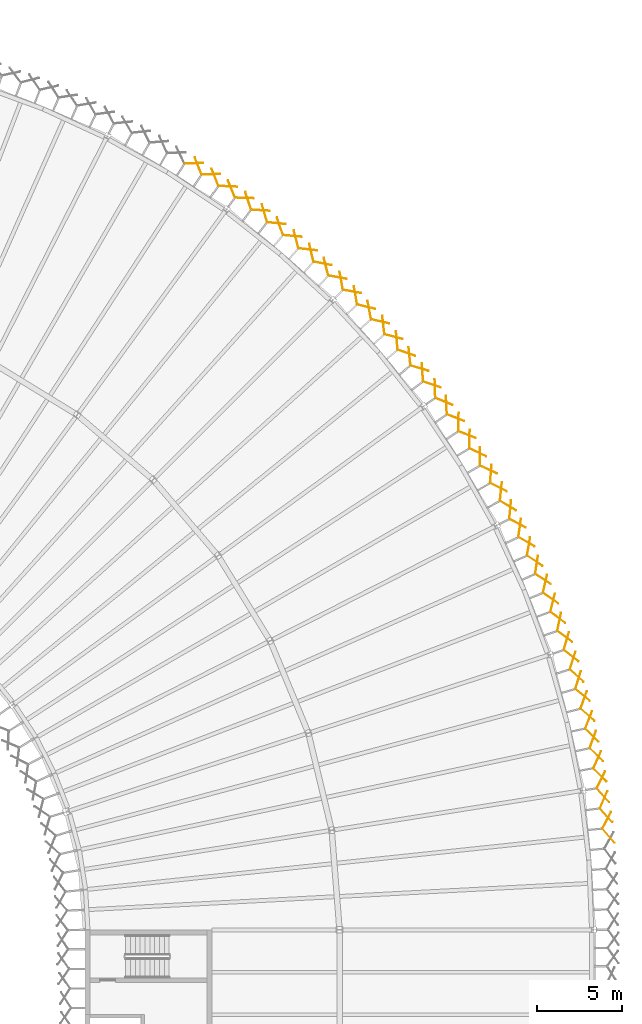
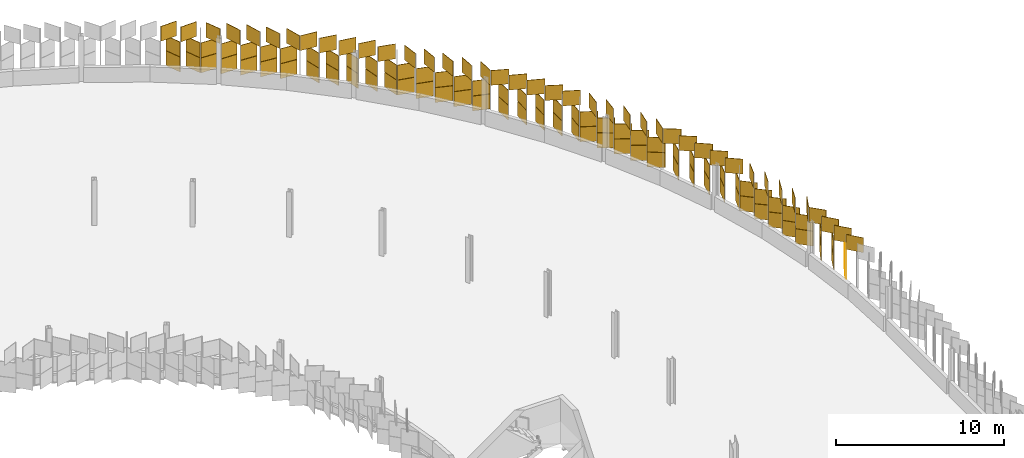
# One storey, part 194 of 198: 121 coverings.
"""IFC4 building model written with IfcOpenShell, lengths in metres."""

from ifc_helpers import new_model, si_unit, direction, frame, origin, origin_2d, place, context, subcontext, project, spatial, rectangle, extrude, material, layer, layer_set, type_object, element, save


model = new_model("IFC4")

# Units and contexts
model_context = context("Model", 3, precision=1e-05, world=origin(), true_north=direction((0.0, 1.0)))
body_context = subcontext(model_context, "Body", "Model", "MODEL_VIEW")
ifc_project = project(units=[si_unit("LENGTHUNIT", "METRE"), si_unit("AREAUNIT", "SQUARE_METRE"), si_unit("VOLUMEUNIT", "CUBIC_METRE"), si_unit("PLANEANGLEUNIT", "RADIAN"), si_unit("MASSUNIT", "GRAM", prefix="KILO")], contexts=[model_context])

# Site, building, storey
site_placement = place(None, origin())
site = spatial("IfcSite", under=ifc_project, at=site_placement, CompositionType="ELEMENT")
building_placement = place(site_placement, origin())
building = spatial("IfcBuilding", under=site, at=building_placement, Name="Parallax Yard Mobility Hub", CompositionType="ELEMENT")
storey_placement = place(building_placement, frame((0.0, 0.0, 6.60009765625)))
storey = spatial("IfcBuildingStorey", under=building, at=storey_placement, Name="L02", CompositionType="ELEMENT", Elevation=6.60009765625)

# Coverings
ifc_material_1 = material(Name="Aluminium panel, champagne finish", Category="aluminium")
ifc_layer_1 = layer(ifc_material_1, 0.030029296875)
ifc_layer_set_1 = layer_set([ifc_layer_1], Name="Skin panel 32.5 degree turn, champagne finish")
covering_type_1 = type_object("IfcCoveringType", Name="Skin panel 32.5 degree turn, champagne finish", PredefinedType="CLADDING", material=ifc_layer_set_1)
for number, where, z_axis, x_axis, name in (
    (1, (225.55908203125, 97.66455078125, 1.119873046875), (0.0, 0.0, 1.0), (0.398749068925, 0.917060074385, 0.0), "Skin panel 32.5 bay 41.7 row 2 level L02"),
    (2, (225.53076171875, 97.924072265625, 2.219970703125), (0.0, 0.0, 1.0), (0.662620048216, -0.748955720789, 0.0), "Skin panel 32.5 bay 41.7 row 3 level L02"),
    (3, (224.877197265625, 101.465087890625, 1.119873046875), (0.0, 0.0, 1.0), (0.704296037355, -0.709906396482, 0.0), "Skin panel 32.5 bay 42.3 row 2 level L02"),
    (4, (224.9296875, 101.224365234375, 2.219970703125), (0.0, 0.0, 1.0), (0.345745328141, 0.938328390314, 0.0), "Skin panel 32.5 bay 42.3 row 3 level L02"),
    (5, (223.97998046875, 104.96728515625, 1.119873046875), (0.0, 0.0, 1.0), (0.743675964311, -0.668540245689, 0.0), "Skin panel 32.5 bay 42.6 row 2 level L02"),
    (6, (224.05908203125, 104.71826171875, 2.219970703125), (0.0, 0.0, 1.0), (0.29161218728, 0.956536634024, 0.0), "Skin panel 32.5 bay 42.6 row 3 level L02"),
    (7, (222.9453125, 108.15087890625, 1.119873046875), (0.0, 0.0, 1.0), (0.208688396455, 0.977982184493, 0.0), "Skin panel 32.5 bay 43.2 row 2 level L02"),
    (8, (222.863037109375, 108.39892578125, 2.219970703125), (0.0, 0.0, 1.0), (0.798157342033, -0.602449049595, 0.0), "Skin panel 32.5 bay 43.2 row 3 level L02"),
    (9, (221.513916015625, 111.737060546875, 1.119873046875), (0.0, 0.0, 1.0), (0.831249435826, -0.555899609138, 0.0), "Skin panel 32.5 bay 43.5 row 2 level L02"),
    (10, (221.613037109375, 111.511474609375, 2.219970703125), (0.0, 0.0, 1.0), (0.152514952931, 0.988301163175, 0.0), "Skin panel 32.5 bay 43.5 row 3 level L02"),
    (11, (219.9306640625, 114.98681640625, 1.119873046875), (0.0, 0.0, 1.0), (0.861629160442, -0.507538362961, 0.0), "Skin panel 32.5 bay 44.1 row 2 level L02"),
    (12, (220.060302734375, 114.760009765625, 2.219970703125), (0.0, 0.0, 1.0), (0.09584575252, 0.995396198367, 0.0), "Skin panel 32.5 bay 44.1 row 3 level L02"),
    (13, (218.281982421875, 117.900146484375, 1.119873046875), (0.0, 0.0, 1.0), (0.010312967731, 0.999946819934, 0.0), "Skin panel 32.5 bay 44.4 row 2 level L02"),
    (14, (218.1494140625, 118.125, 2.219970703125), (0.0, 0.0, 1.0), (0.901901141033, -0.431942509836, 0.0), "Skin panel 32.5 bay 44.4 row 3 level L02"),
    (15, (216.301025390625, 120.924072265625, 1.119873046875), (0.0, 0.0, 1.0), (-0.046789151046, 0.998904787927, 0.0), "Skin panel 32.5 bay 44.7 row 2 level L02"),
    (16, (216.1591796875, 121.12548828125, 2.219970703125), (0.0, 0.0, 1.0), (0.92508913749, -0.379750033177, 0.0), "Skin panel 32.5 bay 44.7 row 3 level L02"),
    (17, (213.95458984375, 123.99072265625, 1.119873046875), (0.0, 0.0, 1.0), (0.94525973574, -0.32631891148, 0.0), "Skin panel 32.5 bay 45.3 row 2 level L02"),
    (18, (214.129150390625, 123.7958984375, 2.219970703125), (0.0, 0.0, 1.0), (-0.10373865588, 0.994604590416, 0.0), "Skin panel 32.5 bay 45.3 row 3 level L02"),
    (19, (211.7578125, 126.516845703125, 1.119873046875), (0.0, 0.0, 1.0), (-0.188471566651, 0.982078646832, 0.0), "Skin panel 32.5 bay 45.6 row 2 level L02"),
    (20, (211.58056640625, 126.708984375, 2.219970703125), (0.0, 0.0, 1.0), (0.969717050992, -0.244231122126, 0.0), "Skin panel 32.5 bay 45.6 row 3 level L02"),
    (21, (209.208740234375, 129.080810546875, 1.119873046875), (0.0, 0.0, 1.0), (-0.244231122126, 0.969717050992, 0.0), "Skin panel 32.5 bay 46.2 row 2 level L02"),
    (22, (209.0166015625, 129.2578125, 2.219970703125), (0.0, 0.0, 1.0), (0.982078646832, -0.188471566651, 0.0), "Skin panel 32.5 bay 46.2 row 3 level L02"),
    (23, (206.296142578125, 131.629150390625, 1.119873046875), (0.0, 0.0, 1.0), (0.994604590416, -0.10373865588, 0.0), "Skin panel 32.5 bay 46.5 row 2 level L02"),
    (24, (206.49072265625, 131.45458984375, 2.219970703125), (0.0, 0.0, 1.0), (-0.32631891148, 0.94525973574, 0.0), "Skin panel 32.5 bay 46.5 row 3 level L02"),
    (25, (203.42431640625, 133.80078125, 1.119873046875), (0.0, 0.0, 1.0), (0.998904787927, -0.046789151046, 0.0), "Skin panel 32.5 bay 47.1 row 2 level L02"),
    (26, (203.6376953125, 133.650146484375, 2.219970703125), (0.0, 0.0, 1.0), (-0.379750033177, 0.92508913749, 0.0), "Skin panel 32.5 bay 47.1 row 3 level L02"),
):
    element("IfcCovering", number, at=place(storey_placement, frame(where, z_axis=z_axis, x_axis=x_axis)), inside=storey, type_object=covering_type_1, Name=name, ObjectType="SCREEN", PredefinedType="CLADDING", context=body_context, shape_type="SweptSolid", body=[
        extrude(rectangle(XDim=1.080078125, YDim=0.030029296875, at=origin_2d()), origin(), (0.0, 0.0, 1.0), 1.080078125),
    ])
ifc_material_2 = material(Name="Aluminium panel, light oak finish", Category="aluminium")
ifc_layer_2 = layer(ifc_material_2, 0.030029296875)
ifc_layer_set_2 = layer_set([ifc_layer_2], Name="Skin panel 32.5 degree turn, oak finish")
covering_type_2 = type_object("IfcCoveringType", Name="Skin panel 32.5 degree turn, oak finish", PredefinedType="CLADDING", material=ifc_layer_set_2)
for number, where, z_axis, x_axis, name in (
    (27, (225.55908203125, 97.66455078125, 0.019775390625), (0.0, 0.0, 1.0), (0.398749068925, 0.917060074385, 0.0), "Skin panel 32.5 bay 41.7 row 1 level L02"),
    (28, (224.877197265625, 101.465087890625, 0.019775390625), (0.0, 0.0, 1.0), (0.704296037355, -0.709906396482, 0.0), "Skin panel 32.5 bay 42.3 row 1 level L02"),
    (29, (223.97998046875, 104.96728515625, 0.019775390625), (0.0, 0.0, 1.0), (0.743675964311, -0.668540245689, 0.0), "Skin panel 32.5 bay 42.6 row 1 level L02"),
    (30, (222.9453125, 108.15087890625, 0.019775390625), (0.0, 0.0, 1.0), (0.208688396455, 0.977982184493, 0.0), "Skin panel 32.5 bay 43.2 row 1 level L02"),
    (31, (221.513916015625, 111.737060546875, 0.019775390625), (0.0, 0.0, 1.0), (0.831249435826, -0.555899609138, 0.0), "Skin panel 32.5 bay 43.5 row 1 level L02"),
    (32, (219.9306640625, 114.98681640625, 0.019775390625), (0.0, 0.0, 1.0), (0.861629160442, -0.507538362961, 0.0), "Skin panel 32.5 bay 44.1 row 1 level L02"),
    (33, (218.281982421875, 117.900146484375, 0.019775390625), (0.0, 0.0, 1.0), (0.010312967731, 0.999946819934, 0.0), "Skin panel 32.5 bay 44.4 row 1 level L02"),
    (34, (216.301025390625, 120.924072265625, 0.019775390625), (0.0, 0.0, 1.0), (-0.046789151046, 0.998904787927, 0.0), "Skin panel 32.5 bay 44.7 row 1 level L02"),
    (35, (213.95458984375, 123.99072265625, 0.019775390625), (0.0, 0.0, 1.0), (0.94525973574, -0.32631891148, 0.0), "Skin panel 32.5 bay 45.3 row 1 level L02"),
    (36, (211.7578125, 126.516845703125, 0.019775390625), (0.0, 0.0, 1.0), (-0.188471566651, 0.982078646832, 0.0), "Skin panel 32.5 bay 45.6 row 1 level L02"),
    (37, (209.208740234375, 129.080810546875, 0.019775390625), (0.0, 0.0, 1.0), (-0.244231122126, 0.969717050992, 0.0), "Skin panel 32.5 bay 46.2 row 1 level L02"),
    (38, (206.296142578125, 131.629150390625, 0.019775390625), (0.0, 0.0, 1.0), (0.994604590416, -0.10373865588, 0.0), "Skin panel 32.5 bay 46.5 row 1 level L02"),
    (39, (203.42431640625, 133.80078125, 0.019775390625), (0.0, 0.0, 1.0), (0.998904787927, -0.046789151046, 0.0), "Skin panel 32.5 bay 47.1 row 1 level L02"),
):
    element("IfcCovering", number, at=place(storey_placement, frame(where, z_axis=z_axis, x_axis=x_axis)), inside=storey, type_object=covering_type_2, Name=name, ObjectType="SCREEN", PredefinedType="CLADDING", context=body_context, shape_type="SweptSolid", body=[
        extrude(rectangle(XDim=1.080078125, YDim=0.030029296875, at=origin_2d()), origin(), (0.0, 0.0, 1.0), 1.080078125),
    ])
ifc_layer_3 = layer(ifc_material_1, 0.030029296875)
ifc_layer_set_3 = layer_set([ifc_layer_3], Name="Skin panel 35 degree turn, champagne finish")
covering_type_3 = type_object("IfcCoveringType", Name="Skin panel 35 degree turn, champagne finish", PredefinedType="CLADDING", material=ifc_layer_set_3)
for number, where, z_axis, x_axis, name in (
    (40, (225.850830078125, 95.542724609375, 2.219970703125), (0.0, 0.0, 1.0), (0.652459561766, -0.757823541638, 0.0), "Skin panel 35 bay 41.5 row 3 level L02"),
    (41, (225.745849609375, 96.457275390625, 1.119873046875), (0.0, 0.0, 1.0), (0.463858946586, 0.885909068512, 0.0), "Skin panel 35 bay 41.6 row 2 level L02"),
    (42, (225.712158203125, 96.7431640625, 2.219970703125), (0.0, 0.0, 1.0), (0.673833110974, -0.738883575779, 0.0), "Skin panel 35 bay 41.6 row 3 level L02"),
    (43, (225.406005859375, 98.8408203125, 1.119873046875), (0.0, 0.0, 1.0), (0.438371146789, 0.898794046299, 0.0), "Skin panel 35 bay 42.1 row 2 level L02"),
    (44, (225.348388671875, 99.123291015625, 2.219970703125), (0.0, 0.0, 1.0), (0.694658370459, -0.719339800339, 0.0), "Skin panel 35 bay 42.1 row 3 level L02"),
    (45, (225.135009765625, 100.313232421875, 1.119873046875), (0.0, 0.0, 1.0), (0.714917031434, -0.699209294965, 0.0), "Skin panel 35 bay 42.2 row 2 level L02"),
    (46, (225.19140625, 100.030517578125, 2.219970703125), (0.0, 0.0, 1.0), (0.412525789307, 0.910945922191, 0.0), "Skin panel 35 bay 42.2 row 3 level L02"),
    (47, (224.62255859375, 102.660400390625, 1.119873046875), (0.0, 0.0, 1.0), (0.753667790395, -0.657255552826, 0.0), "Skin panel 35 bay 42.4 row 2 level L02"),
    (48, (224.685791015625, 102.379150390625, 2.219970703125), (0.0, 0.0, 1.0), (0.35984862727, 0.933010699538, 0.0), "Skin panel 35 bay 42.4 row 3 level L02"),
    (49, (224.326416015625, 103.83251953125, 1.119873046875), (0.0, 0.0, 1.0), (0.772129465524, -0.63546525355, 0.0), "Skin panel 35 bay 42.5 row 2 level L02"),
    (50, (224.388427734375, 103.55078125, 2.219970703125), (0.0, 0.0, 1.0), (0.333058179063, 0.942906278142, 0.0), "Skin panel 35 bay 42.5 row 3 level L02"),
    (51, (223.736328125, 105.868896484375, 1.119873046875), (0.0, 0.0, 1.0), (0.305997733365, 0.952032240618, 0.0), "Skin panel 35 bay 42.7 row 2 level L02"),
    (52, (223.65087890625, 106.144287109375, 2.219970703125), (0.0, 0.0, 1.0), (0.789960282636, -0.613158015407, 0.0), "Skin panel 35 bay 42.7 row 3 level L02"),
    (53, (223.366455078125, 107.019775390625, 1.119873046875), (0.0, 0.0, 1.0), (0.278686054753, 0.960382258732, 0.0), "Skin panel 35 bay 43.1 row 2 level L02"),
    (54, (223.2783203125, 107.278564453125, 2.219970703125), (0.0, 0.0, 1.0), (0.807147877274, -0.590349306946, 0.0), "Skin panel 35 bay 43.1 row 3 level L02"),
    (55, (222.55859375, 109.272705078125, 1.119873046875), (0.0, 0.0, 1.0), (0.251148755085, 0.967948502152, 0.0), "Skin panel 35 bay 43.3 row 2 level L02"),
    (56, (222.443359375, 109.537109375, 2.219970703125), (0.0, 0.0, 1.0), (0.823676131563, -0.567060517311, 0.0), "Skin panel 35 bay 43.3 row 3 level L02"),
    (57, (222.109619140625, 110.394775390625, 1.119873046875), (0.0, 0.0, 1.0), (0.223404929604, 0.974725724206, 0.0), "Skin panel 35 bay 43.4 row 2 level L02"),
    (58, (221.9951171875, 110.659423828125, 2.219970703125), (0.0, 0.0, 1.0), (0.839533584284, -0.543307795692, 0.0), "Skin panel 35 bay 43.4 row 3 level L02"),
    (59, (221.024169921875, 112.856689453125, 1.119873046875), (0.0, 0.0, 1.0), (0.869180952867, -0.494494156864, 0.0), "Skin panel 35 bay 43.6 row 2 level L02"),
    (60, (221.14453125, 112.5947265625, 2.219970703125), (0.0, 0.0, 1.0), (0.167395116152, 0.985889889941, 0.0), "Skin panel 35 bay 43.6 row 3 level L02"),
    (61, (220.498291015625, 113.945068359375, 1.119873046875), (0.0, 0.0, 1.0), (0.882947592859, -0.469471562786, 0.0), "Skin panel 35 bay 43.7 row 2 level L02"),
    (62, (220.617919921875, 113.6826171875, 2.219970703125), (0.0, 0.0, 1.0), (0.13917310096, 0.990268068742, 0.0), "Skin panel 35 bay 43.7 row 3 level L02"),
    (63, (219.3720703125, 116.073486328125, 1.119873046875), (0.0, 0.0, 1.0), (0.895994056125, -0.44406604395, 0.0), "Skin panel 35 bay 44.2 row 2 level L02"),
    (64, (219.512939453125, 115.822265625, 2.219970703125), (0.0, 0.0, 1.0), (0.110837569146, 0.993838534806, 0.0), "Skin panel 35 bay 44.2 row 3 level L02"),
    (65, (218.91943359375, 116.875, 1.119873046875), (0.0, 0.0, 1.0), (0.082413371996, 0.996598232046, 0.0), "Skin panel 35 bay 44.3 row 2 level L02"),
    (66, (218.781494140625, 117.111083984375, 2.219970703125), (0.0, 0.0, 1.0), (0.908308971239, -0.418299907681, 0.0), "Skin panel 35 bay 44.3 row 3 level L02"),
    (67, (217.66162109375, 118.921630859375, 1.119873046875), (0.0, 0.0, 1.0), (0.025383087454, 0.999677797528, 0.0), "Skin panel 35 bay 44.5 row 2 level L02"),
    (68, (217.515625, 119.17041015625, 2.219970703125), (0.0, 0.0, 1.0), (0.930708322292, -0.365762243564, 0.0), "Skin panel 35 bay 44.5 row 3 level L02"),
    (69, (217.011962890625, 119.929931640625, 1.119873046875), (0.0, 0.0, 1.0), (0.025383087454, 0.999677797528, 0.0), "Skin panel 35 bay 44.6 row 2 level L02"),
    (70, (216.844970703125, 120.164794921875, 2.219970703125), (0.0, 0.0, 1.0), (0.930708322292, -0.365762243564, 0.0), "Skin panel 35 bay 44.6 row 3 level L02"),
    (71, (215.4541015625, 122.123779296875, 1.119873046875), (0.0, 0.0, 1.0), (0.950071216759, -0.31203314421, 0.0), "Skin panel 35 bay 45.1 row 2 level L02"),
    (72, (215.626708984375, 121.892578125, 2.219970703125), (0.0, 0.0, 1.0), (-0.031728250671, 0.999496532315, 0.0), "Skin panel 35 bay 45.1 row 3 level L02"),
    (73, (214.72021484375, 123.084228515625, 1.119873046875), (0.0, 0.0, 1.0), (0.958593888928, -0.284776677608, 0.0), "Skin panel 35 bay 45.2 row 2 level L02"),
    (74, (214.89208984375, 122.8525390625, 2.219970703125), (0.0, 0.0, 1.0), (-0.060255876762, 0.998182963848, 0.0), "Skin panel 35 bay 45.2 row 3 level L02"),
    (75, (213.188720703125, 124.943115234375, 1.119873046875), (0.0, 0.0, 1.0), (0.966335228027, -0.257286274555, 0.0), "Skin panel 35 bay 45.4 row 2 level L02"),
    (76, (213.37939453125, 124.7265625, 2.219970703125), (0.0, 0.0, 1.0), (-0.088736099562, 0.996055171481, 0.0), "Skin panel 35 bay 45.4 row 3 level L02"),
    (77, (212.404052734375, 125.8427734375, 1.119873046875), (0.0, 0.0, 1.0), (0.973288375226, -0.229586015799, 0.0), "Skin panel 35 bay 45.5 row 2 level L02"),
    (78, (212.5859375, 125.638671875, 2.219970703125), (0.0, 0.0, 1.0), (-0.117143944709, 0.993114946126, 0.0), "Skin panel 35 bay 45.5 row 3 level L02"),
    (79, (210.944580078125, 127.392822265625, 1.119873046875), (0.0, 0.0, 1.0), (-0.173648177667, 0.984807753012, 0.0), "Skin panel 35 bay 45.7 row 2 level L02"),
    (80, (210.74951171875, 127.60546875, 2.219970703125), (0.0, 0.0, 1.0), (0.984807753012, -0.173648177667, 0.0), "Skin panel 35 bay 45.7 row 3 level L02"),
    (81, (210.10498046875, 128.25, 1.119873046875), (0.0, 0.0, 1.0), (-0.173648177667, 0.984807753012, 0.0), "Skin panel 35 bay 46.1 row 2 level L02"),
    (82, (209.892578125, 128.44482421875, 2.219970703125), (0.0, 0.0, 1.0), (0.984807753012, -0.173648177667, 0.0), "Skin panel 35 bay 46.1 row 3 level L02"),
    (83, (208.342529296875, 129.904296875, 1.119873046875), (0.0, 0.0, 1.0), (-0.229586015799, 0.973288375226, 0.0), "Skin panel 35 bay 46.3 row 2 level L02"),
    (84, (208.138427734375, 130.086181640625, 2.219970703125), (0.0, 0.0, 1.0), (0.993114946126, -0.117143944709, 0.0), "Skin panel 35 bay 46.3 row 3 level L02"),
    (85, (207.2265625, 130.87939453125, 1.119873046875), (0.0, 0.0, 1.0), (0.996055171481, -0.088736099562, 0.0), "Skin panel 35 bay 46.4 row 2 level L02"),
    (86, (207.44287109375, 130.68896484375, 2.219970703125), (0.0, 0.0, 1.0), (-0.257286274555, 0.966335228027, 0.0), "Skin panel 35 bay 46.4 row 3 level L02"),
    (87, (205.352783203125, 132.391845703125, 1.119873046875), (0.0, 0.0, 1.0), (0.998182963848, -0.060255876762, 0.0), "Skin panel 35 bay 46.6 row 2 level L02"),
    (88, (205.584228515625, 132.22021484375, 2.219970703125), (0.0, 0.0, 1.0), (-0.284776677608, 0.958593888928, 0.0), "Skin panel 35 bay 46.6 row 3 level L02"),
    (89, (204.4052734375, 133.11767578125, 1.119873046875), (0.0, 0.0, 1.0), (0.999496532315, -0.031728250671, 0.0), "Skin panel 35 bay 46.7 row 2 level L02"),
    (90, (204.623779296875, 132.9541015625, 2.219970703125), (0.0, 0.0, 1.0), (-0.31203314421, 0.950071216759, 0.0), "Skin panel 35 bay 46.7 row 3 level L02"),
    (91, (202.6650390625, 134.3447265625, 1.119873046875), (0.0, 0.0, 1.0), (-0.365762243564, 0.930708322292, 0.0), "Skin panel 35 bay 47.2 row 2 level L02"),
    (92, (202.43017578125, 134.51171875, 2.219970703125), (0.0, 0.0, 1.0), (0.999677797528, 0.025383087454, 0.0), "Skin panel 35 bay 47.2 row 3 level L02"),
    (93, (201.67041015625, 135.015380859375, 1.119873046875), (0.0, 0.0, 1.0), (-0.365762243564, 0.930708322292, 0.0), "Skin panel 35 bay 47.3 row 2 level L02"),
    (94, (201.421630859375, 135.16162109375, 2.219970703125), (0.0, 0.0, 1.0), (0.999677797528, 0.025383087454, 0.0), "Skin panel 35 bay 47.3 row 3 level L02"),
):
    element("IfcCovering", number, at=place(storey_placement, frame(where, z_axis=z_axis, x_axis=x_axis)), inside=storey, type_object=covering_type_3, Name=name, ObjectType="SCREEN", PredefinedType="CLADDING", context=body_context, shape_type="SweptSolid", body=[
        extrude(rectangle(XDim=1.080078125, YDim=0.030029296875, at=origin_2d()), origin(), (0.0, 0.0, 1.0), 1.080078125),
    ])
ifc_layer_4 = layer(ifc_material_2, 0.030029296875)
ifc_layer_set_4 = layer_set([ifc_layer_4], Name="Skin panel 35 degree turn, oak finish")
covering_type_4 = type_object("IfcCoveringType", Name="Skin panel 35 degree turn, oak finish", PredefinedType="CLADDING", material=ifc_layer_set_4)
for number, where, z_axis, x_axis, name in (
    (95, (225.745849609375, 96.457275390625, 0.019775390625), (0.0, 0.0, 1.0), (0.463858946586, 0.885909068512, 0.0), "Skin panel 35 bay 41.6 row 1 level L02"),
    (96, (225.406005859375, 98.8408203125, 0.019775390625), (0.0, 0.0, 1.0), (0.438371146789, 0.898794046299, 0.0), "Skin panel 35 bay 42.1 row 1 level L02"),
    (97, (225.135009765625, 100.313232421875, 0.019775390625), (0.0, 0.0, 1.0), (0.714917031434, -0.699209294965, 0.0), "Skin panel 35 bay 42.2 row 1 level L02"),
    (98, (224.62255859375, 102.660400390625, 0.019775390625), (0.0, 0.0, 1.0), (0.753667790395, -0.657255552826, 0.0), "Skin panel 35 bay 42.4 row 1 level L02"),
    (99, (224.326416015625, 103.83251953125, 0.019775390625), (0.0, 0.0, 1.0), (0.772129465524, -0.63546525355, 0.0), "Skin panel 35 bay 42.5 row 1 level L02"),
    (100, (223.736328125, 105.868896484375, 0.019775390625), (0.0, 0.0, 1.0), (0.305997733365, 0.952032240618, 0.0), "Skin panel 35 bay 42.7 row 1 level L02"),
    (101, (223.366455078125, 107.019775390625, 0.019775390625), (0.0, 0.0, 1.0), (0.278686054753, 0.960382258732, 0.0), "Skin panel 35 bay 43.1 row 1 level L02"),
    (102, (222.55859375, 109.272705078125, 0.019775390625), (0.0, 0.0, 1.0), (0.251148755085, 0.967948502152, 0.0), "Skin panel 35 bay 43.3 row 1 level L02"),
    (103, (222.109619140625, 110.394775390625, 0.019775390625), (0.0, 0.0, 1.0), (0.223404929604, 0.974725724206, 0.0), "Skin panel 35 bay 43.4 row 1 level L02"),
    (104, (221.024169921875, 112.856689453125, 0.019775390625), (0.0, 0.0, 1.0), (0.869180952867, -0.494494156864, 0.0), "Skin panel 35 bay 43.6 row 1 level L02"),
    (105, (220.498291015625, 113.945068359375, 0.019775390625), (0.0, 0.0, 1.0), (0.882947592859, -0.469471562786, 0.0), "Skin panel 35 bay 43.7 row 1 level L02"),
    (106, (219.3720703125, 116.073486328125, 0.019775390625), (0.0, 0.0, 1.0), (0.895994056125, -0.44406604395, 0.0), "Skin panel 35 bay 44.2 row 1 level L02"),
    (107, (218.91943359375, 116.875, 0.019775390625), (0.0, 0.0, 1.0), (0.082413371996, 0.996598232046, 0.0), "Skin panel 35 bay 44.3 row 1 level L02"),
    (108, (217.66162109375, 118.921630859375, 0.019775390625), (0.0, 0.0, 1.0), (0.025383087454, 0.999677797528, 0.0), "Skin panel 35 bay 44.5 row 1 level L02"),
    (109, (217.011962890625, 119.929931640625, 0.019775390625), (0.0, 0.0, 1.0), (0.025383087454, 0.999677797528, 0.0), "Skin panel 35 bay 44.6 row 1 level L02"),
    (110, (215.4541015625, 122.123779296875, 0.019775390625), (0.0, 0.0, 1.0), (0.950071216759, -0.31203314421, 0.0), "Skin panel 35 bay 45.1 row 1 level L02"),
    (111, (214.72021484375, 123.084228515625, 0.019775390625), (0.0, 0.0, 1.0), (0.958593888928, -0.284776677608, 0.0), "Skin panel 35 bay 45.2 row 1 level L02"),
    (112, (213.188720703125, 124.943115234375, 0.019775390625), (0.0, 0.0, 1.0), (0.966335228027, -0.257286274555, 0.0), "Skin panel 35 bay 45.4 row 1 level L02"),
    (113, (212.404052734375, 125.8427734375, 0.019775390625), (0.0, 0.0, 1.0), (0.973288375226, -0.229586015799, 0.0), "Skin panel 35 bay 45.5 row 1 level L02"),
    (114, (210.944580078125, 127.392822265625, 0.019775390625), (0.0, 0.0, 1.0), (-0.173648177667, 0.984807753012, 0.0), "Skin panel 35 bay 45.7 row 1 level L02"),
    (115, (210.10498046875, 128.25, 0.019775390625), (0.0, 0.0, 1.0), (-0.173648177667, 0.984807753012, 0.0), "Skin panel 35 bay 46.1 row 1 level L02"),
    (116, (208.342529296875, 129.904296875, 0.019775390625), (0.0, 0.0, 1.0), (-0.229586015799, 0.973288375226, 0.0), "Skin panel 35 bay 46.3 row 1 level L02"),
    (117, (207.2265625, 130.87939453125, 0.019775390625), (0.0, 0.0, 1.0), (0.996055171481, -0.088736099562, 0.0), "Skin panel 35 bay 46.4 row 1 level L02"),
    (118, (205.352783203125, 132.391845703125, 0.019775390625), (0.0, 0.0, 1.0), (0.998182963848, -0.060255876762, 0.0), "Skin panel 35 bay 46.6 row 1 level L02"),
    (119, (204.4052734375, 133.11767578125, 0.019775390625), (0.0, 0.0, 1.0), (0.999496532315, -0.031728250671, 0.0), "Skin panel 35 bay 46.7 row 1 level L02"),
    (120, (202.6650390625, 134.3447265625, 0.019775390625), (0.0, 0.0, 1.0), (-0.365762243564, 0.930708322292, 0.0), "Skin panel 35 bay 47.2 row 1 level L02"),
    (121, (201.67041015625, 135.015380859375, 0.019775390625), (0.0, 0.0, 1.0), (-0.365762243564, 0.930708322292, 0.0), "Skin panel 35 bay 47.3 row 1 level L02"),
):
    element("IfcCovering", number, at=place(storey_placement, frame(where, z_axis=z_axis, x_axis=x_axis)), inside=storey, type_object=covering_type_4, Name=name, ObjectType="SCREEN", PredefinedType="CLADDING", context=body_context, shape_type="SweptSolid", body=[
        extrude(rectangle(XDim=1.080078125, YDim=0.030029296875, at=origin_2d()), origin(), (0.0, 0.0, 1.0), 1.080078125),
    ])

save(model, "model.ifc")
